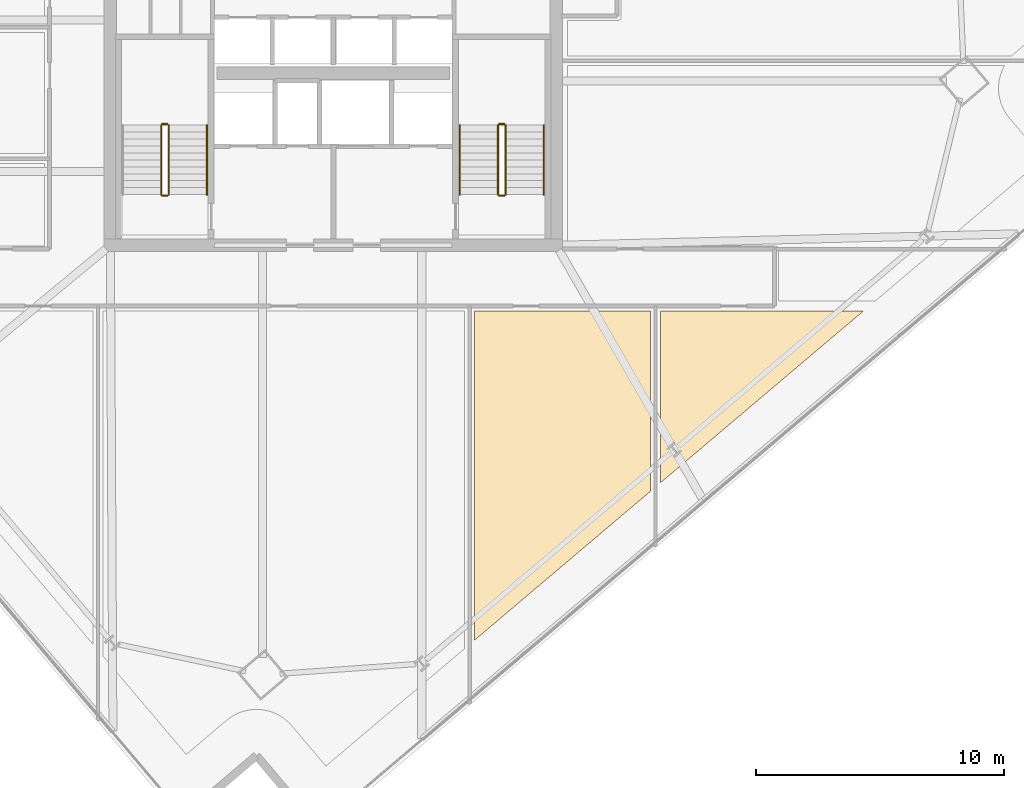
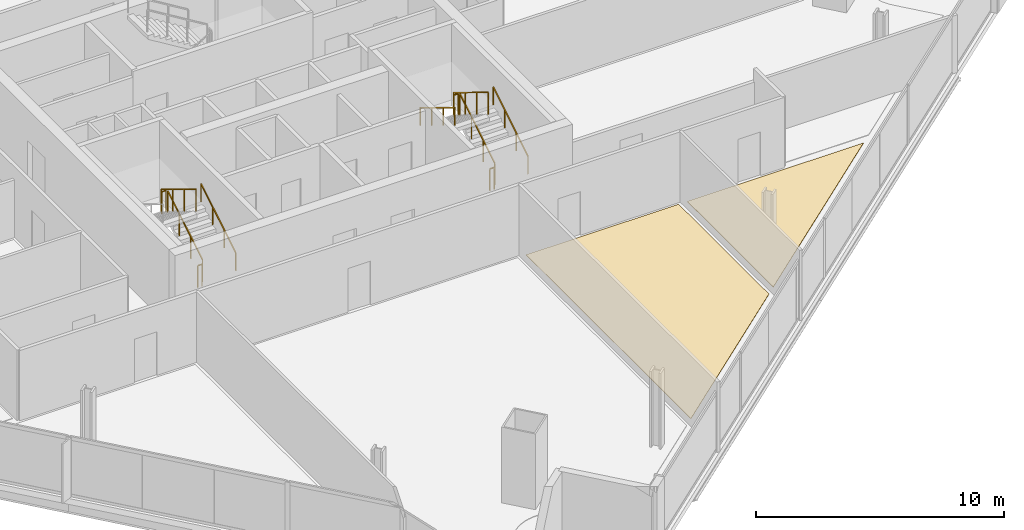
# One storey, part 31 of 34: 11 railings, 2 coverings.
"""IFC4 building model written with IfcOpenShell, lengths in metres."""

from ifc_helpers import new_model, si_unit, direction, frame, origin, origin_2d, place, context, subcontext, project, spatial, polyline, rectangle, outline, extrude, material, layer, layer_set, type_object, element, save


model = new_model("IFC4")

# Units and contexts
model_context = context("Model", 3, precision=1e-05, world=origin(), true_north=direction((0.0, 1.0)))
body_context = subcontext(model_context, "Body", "Model", "MODEL_VIEW")
ifc_project = project(units=[si_unit("LENGTHUNIT", "METRE"), si_unit("AREAUNIT", "SQUARE_METRE"), si_unit("VOLUMEUNIT", "CUBIC_METRE"), si_unit("PLANEANGLEUNIT", "RADIAN"), si_unit("MASSUNIT", "GRAM", prefix="KILO")], contexts=[model_context])

# Site, building, storey
site_placement = place(None, origin())
site = spatial("IfcSite", under=ifc_project, at=site_placement, CompositionType="ELEMENT")
building_placement = place(site_placement, origin())
building = spatial("IfcBuilding", under=site, at=building_placement, Name="Haldenkirk Collegiate Tower", CompositionType="ELEMENT")
storey_placement = place(building_placement, frame((0.0, 0.0, 163.199951171875)))
storey = spatial("IfcBuildingStorey", under=building, at=storey_placement, Name="L40", CompositionType="ELEMENT", Elevation=163.199951171875)

# Coverings
ifc_material_1 = material(Name="Polished collegiate terrazzo", Category="concrete")
ifc_layer_1 = layer(ifc_material_1, 0.02490234375)
ifc_layer_set_1 = layer_set([ifc_layer_1], Name="Polished collegiate terrazzo")
covering_type_1 = type_object("IfcCoveringType", Name="COV-FLOOR-TERRAZZO", PredefinedType="FLOORING", material=ifc_layer_set_1)
covering_1_placement = place(storey_placement, origin())
element("IfcCovering", 1, at=covering_1_placement, inside=storey, type_object=covering_type_1, Name="L40 academic room finish 04", PredefinedType="FLOORING", context=body_context, shape_type="SweptSolid", body=[
    extrude(outline(polyline([(49.199951171875, 8.40869140625), (49.199951171875, 15.35009765625), (57.399169921875, 15.35009765625), (49.199951171875, 8.40869140625)])), origin(), (0.0, 0.0, 1.0), 0.025146484375),
])
ifc_material_2 = material(Name="Engineered collegiate oak acoustic flooring", Category="wood")
ifc_layer_2 = layer(ifc_material_2, 0.02197265625)
ifc_layer_set_2 = layer_set([ifc_layer_2], Name="Engineered collegiate oak acoustic flooring")
covering_type_2 = type_object("IfcCoveringType", Name="COV-FLOOR-TIMBER", PredefinedType="FLOORING", material=ifc_layer_set_2)
covering_2_placement = place(storey_placement, origin())
element("IfcCovering", 2, at=covering_2_placement, inside=storey, type_object=covering_type_2, Name="L40 academic room finish 03", PredefinedType="FLOORING", context=body_context, shape_type="SweptSolid", body=[
    extrude(outline(polyline([(41.699951171875, 2.0595703125), (41.699951171875, 15.35009765625), (48.800048828125, 15.35009765625), (48.800048828125, 8.0703125), (41.699951171875, 2.0595703125)])), origin(), (0.0, 0.0, 1.0), 0.02197265625),
])

# Railings
ifc_material_3 = material(Name="Painted architectural tubular steel", Category="steel")
railing_type_1 = type_object("IfcRailingType", Name="RLG-STAIR-GUARD-1100", PredefinedType="BALUSTRADE", material=ifc_material_3)
railing_1_placement = place(storey_placement, frame((29.35009765625, 20.050048828125, 0.17041015625)))
element("IfcRailing", 3, at=railing_1_placement, inside=storey, type_object=railing_type_1, Name="L40 ST-1 stair guard 1", PredefinedType="BALUSTRADE", context=body_context, shape_type="SweptSolid", body=[
    extrude(rectangle(XDim=0.048095703125, YDim=0.048095703125, at=origin_2d()), frame((0.0, 0.0, 1.076171875), z_axis=(0.0, 0.854169791009, 0.51999420009), x_axis=(-1.0, 0.0, 0.0)), (0.0, 0.0, 1.0), 3.278076171875),
    extrude(rectangle(XDim=0.0419921875, YDim=0.0419921875, at=origin_2d()), origin(), (0.0, 0.0, 1.0), 1.052001953125),
    extrude(rectangle(XDim=0.0419921875, YDim=0.0419921875, at=origin_2d()), frame((0.0, 0.933349609375, 0.568115234375)), (0.0, 0.0, 1.0), 1.052001953125),
    extrude(rectangle(XDim=0.0419921875, YDim=0.0419921875, at=origin_2d()), frame((0.0, 1.86669921875, 1.136474609375)), (0.0, 0.0, 1.0), 1.052001953125),
    extrude(rectangle(XDim=0.0419921875, YDim=0.0419921875, at=origin_2d()), frame((0.0, 2.800048828125, 1.70458984375)), (0.0, 0.0, 1.0), 1.052001953125),
])
railing_2_placement = place(storey_placement, frame((29.300048828125, 22.89990234375, 1.875)))
element("IfcRailing", 4, at=railing_2_placement, inside=storey, type_object=railing_type_1, Name="L40 ST-1 stair guard 2", PredefinedType="BALUSTRADE", context=body_context, shape_type="SweptSolid", body=[
    extrude(rectangle(XDim=0.048095703125, YDim=0.048095703125, at=origin_2d()), frame((0.0, 0.0, 1.076171875), z_axis=(-1.0, 0.0, 0.0), x_axis=(0.0, -1.0, 0.0)), (0.0, 0.0, 1.0), 0.199951171875),
    extrude(rectangle(XDim=0.0419921875, YDim=0.0419921875, at=origin_2d()), origin(), (0.0, 0.0, 1.0), 1.052001953125),
    extrude(rectangle(XDim=0.0419921875, YDim=0.0419921875, at=origin_2d()), frame((-0.199951171875, 0.0, 0.0)), (0.0, 0.0, 1.0), 1.052001953125),
])
railing_3_placement = place(storey_placement, frame((29.050048828125, 22.85009765625, 2.04541015625)))
element("IfcRailing", 5, at=railing_3_placement, inside=storey, type_object=railing_type_1, Name="L40 ST-1 stair guard 3", PredefinedType="BALUSTRADE", context=body_context, shape_type="SweptSolid", body=[
    extrude(rectangle(XDim=0.048095703125, YDim=0.048095703125, at=origin_2d()), frame((0.0, 0.0, 1.076171875), z_axis=(0.0, -0.854169791009, 0.51999420009), x_axis=(1.0, 0.0, 0.0)), (0.0, 0.0, 1.0), 3.278076171875),
    extrude(rectangle(XDim=0.0419921875, YDim=0.0419921875, at=origin_2d()), origin(), (0.0, 0.0, 1.0), 1.052001953125),
    extrude(rectangle(XDim=0.0419921875, YDim=0.0419921875, at=origin_2d()), frame((0.0, -0.933349609375, 0.568115234375)), (0.0, 0.0, 1.0), 1.052001953125),
    extrude(rectangle(XDim=0.0419921875, YDim=0.0419921875, at=origin_2d()), frame((0.0, -1.86669921875, 1.136474609375)), (0.0, 0.0, 1.0), 1.052001953125),
    extrude(rectangle(XDim=0.0419921875, YDim=0.0419921875, at=origin_2d()), frame((0.0, -2.800048828125, 1.70458984375)), (0.0, 0.0, 1.0), 1.052001953125),
])
railing_4_placement = place(storey_placement, frame((29.300048828125, 20.0, 0.0)))
element("IfcRailing", 6, at=railing_4_placement, inside=storey, type_object=railing_type_1, Name="L40 ST-1 stair guard 4", PredefinedType="BALUSTRADE", context=body_context, shape_type="SweptSolid", body=[
    extrude(rectangle(XDim=0.048095703125, YDim=0.048095703125, at=origin_2d()), frame((0.0, 0.0, 1.076171875), z_axis=(-1.0, 0.0, 0.0), x_axis=(0.0, -1.0, 0.0)), (0.0, 0.0, 1.0), 0.199951171875),
    extrude(rectangle(XDim=0.0419921875, YDim=0.0419921875, at=origin_2d()), origin(), (0.0, 0.0, 1.0), 1.052001953125),
    extrude(rectangle(XDim=0.0419921875, YDim=0.0419921875, at=origin_2d()), frame((-0.199951171875, 0.0, 0.0)), (0.0, 0.0, 1.0), 1.052001953125),
])
railing_5_placement = place(storey_placement, frame((42.949951171875, 20.050048828125, 0.17041015625)))
element("IfcRailing", 7, at=railing_5_placement, inside=storey, type_object=railing_type_1, Name="L40 ST-2 stair guard 1", PredefinedType="BALUSTRADE", context=body_context, shape_type="SweptSolid", body=[
    extrude(rectangle(XDim=0.048095703125, YDim=0.048095703125, at=origin_2d()), frame((0.0, 0.0, 1.076171875), z_axis=(0.0, 0.854169791009, 0.51999420009), x_axis=(-1.0, 0.0, 0.0)), (0.0, 0.0, 1.0), 3.278076171875),
    extrude(rectangle(XDim=0.0419921875, YDim=0.0419921875, at=origin_2d()), origin(), (0.0, 0.0, 1.0), 1.052001953125),
    extrude(rectangle(XDim=0.0419921875, YDim=0.0419921875, at=origin_2d()), frame((0.0, 0.933349609375, 0.568115234375)), (0.0, 0.0, 1.0), 1.052001953125),
    extrude(rectangle(XDim=0.0419921875, YDim=0.0419921875, at=origin_2d()), frame((0.0, 1.86669921875, 1.136474609375)), (0.0, 0.0, 1.0), 1.052001953125),
    extrude(rectangle(XDim=0.0419921875, YDim=0.0419921875, at=origin_2d()), frame((0.0, 2.800048828125, 1.70458984375)), (0.0, 0.0, 1.0), 1.052001953125),
])
railing_6_placement = place(storey_placement, frame((42.89990234375, 22.89990234375, 1.875)))
element("IfcRailing", 8, at=railing_6_placement, inside=storey, type_object=railing_type_1, Name="L40 ST-2 stair guard 2", PredefinedType="BALUSTRADE", context=body_context, shape_type="SweptSolid", body=[
    extrude(rectangle(XDim=0.048095703125, YDim=0.048095703125, at=origin_2d()), frame((0.0, 0.0, 1.076171875), z_axis=(-1.0, 0.0, 0.0), x_axis=(0.0, -1.0, 0.0)), (0.0, 0.0, 1.0), 0.199951171875),
    extrude(rectangle(XDim=0.0419921875, YDim=0.0419921875, at=origin_2d()), origin(), (0.0, 0.0, 1.0), 1.052001953125),
    extrude(rectangle(XDim=0.0419921875, YDim=0.0419921875, at=origin_2d()), frame((-0.199951171875, 0.0, 0.0)), (0.0, 0.0, 1.0), 1.052001953125),
])
railing_7_placement = place(storey_placement, frame((42.64990234375, 22.85009765625, 2.04541015625)))
element("IfcRailing", 9, at=railing_7_placement, inside=storey, type_object=railing_type_1, Name="L40 ST-2 stair guard 3", PredefinedType="BALUSTRADE", context=body_context, shape_type="SweptSolid", body=[
    extrude(rectangle(XDim=0.048095703125, YDim=0.048095703125, at=origin_2d()), frame((0.0, 0.0, 1.076171875), z_axis=(0.0, -0.854169791009, 0.51999420009), x_axis=(1.0, 0.0, 0.0)), (0.0, 0.0, 1.0), 3.278076171875),
    extrude(rectangle(XDim=0.0419921875, YDim=0.0419921875, at=origin_2d()), origin(), (0.0, 0.0, 1.0), 1.052001953125),
    extrude(rectangle(XDim=0.0419921875, YDim=0.0419921875, at=origin_2d()), frame((0.0, -0.933349609375, 0.568115234375)), (0.0, 0.0, 1.0), 1.052001953125),
    extrude(rectangle(XDim=0.0419921875, YDim=0.0419921875, at=origin_2d()), frame((0.0, -1.86669921875, 1.136474609375)), (0.0, 0.0, 1.0), 1.052001953125),
    extrude(rectangle(XDim=0.0419921875, YDim=0.0419921875, at=origin_2d()), frame((0.0, -2.800048828125, 1.70458984375)), (0.0, 0.0, 1.0), 1.052001953125),
])
railing_8_placement = place(storey_placement, frame((42.89990234375, 20.0, 0.0)))
element("IfcRailing", 10, at=railing_8_placement, inside=storey, type_object=railing_type_1, Name="L40 ST-2 stair guard 4", PredefinedType="BALUSTRADE", context=body_context, shape_type="SweptSolid", body=[
    extrude(rectangle(XDim=0.048095703125, YDim=0.048095703125, at=origin_2d()), frame((0.0, 0.0, 1.076171875), z_axis=(-1.0, 0.0, 0.0), x_axis=(0.0, -1.0, 0.0)), (0.0, 0.0, 1.0), 0.199951171875),
    extrude(rectangle(XDim=0.0419921875, YDim=0.0419921875, at=origin_2d()), origin(), (0.0, 0.0, 1.0), 1.052001953125),
    extrude(rectangle(XDim=0.0419921875, YDim=0.0419921875, at=origin_2d()), frame((-0.199951171875, 0.0, 0.0)), (0.0, 0.0, 1.0), 1.052001953125),
])
railing_type_2 = type_object("IfcRailingType", Name="RLG-STAIR-HANDRAIL-900", PredefinedType="HANDRAIL", material=ifc_material_3)
for number, where, name in (
    (11, (30.89990234375, 20.050048828125, 0.17041015625), "L40 ST-1 stair handrail 1"),
    (12, (44.5, 20.050048828125, 0.17041015625), "L40 ST-2 stair handrail 1"),
):
    element("IfcRailing", number, at=place(storey_placement, frame(where)), inside=storey, type_object=railing_type_2, Name=name, PredefinedType="HANDRAIL", context=body_context, shape_type="SweptSolid", body=[
        extrude(rectangle(XDim=0.048095703125, YDim=0.048095703125, at=origin_2d()), frame((0.0, 0.0, 0.8759765625), z_axis=(0.0, 0.854169791009, 0.51999420009), x_axis=(-1.0, 0.0, 0.0)), (0.0, 0.0, 1.0), 3.278076171875),
        extrude(rectangle(XDim=0.0419921875, YDim=0.0419921875, at=origin_2d()), origin(), (0.0, 0.0, 1.0), 0.851806640625),
        extrude(rectangle(XDim=0.0419921875, YDim=0.0419921875, at=origin_2d()), frame((0.0, 0.933349609375, 0.568115234375)), (0.0, 0.0, 1.0), 0.851806640625),
        extrude(rectangle(XDim=0.0419921875, YDim=0.0419921875, at=origin_2d()), frame((0.0, 1.86669921875, 1.136474609375)), (0.0, 0.0, 1.0), 0.851806640625),
        extrude(rectangle(XDim=0.0419921875, YDim=0.0419921875, at=origin_2d()), frame((0.0, 2.800048828125, 1.70458984375)), (0.0, 0.0, 1.0), 0.851806640625),
    ])
railing_9_placement = place(storey_placement, frame((41.10009765625, 22.85009765625, 2.04541015625)))
element("IfcRailing", 13, at=railing_9_placement, inside=storey, type_object=railing_type_2, Name="L40 ST-2 stair handrail 2", PredefinedType="HANDRAIL", context=body_context, shape_type="SweptSolid", body=[
    extrude(rectangle(XDim=0.048095703125, YDim=0.048095703125, at=origin_2d()), frame((0.0, 0.0, 0.8759765625), z_axis=(0.0, -0.854169791009, 0.51999420009), x_axis=(1.0, 0.0, 0.0)), (0.0, 0.0, 1.0), 3.278076171875),
    extrude(rectangle(XDim=0.0419921875, YDim=0.0419921875, at=origin_2d()), origin(), (0.0, 0.0, 1.0), 0.851806640625),
    extrude(rectangle(XDim=0.0419921875, YDim=0.0419921875, at=origin_2d()), frame((0.0, -0.933349609375, 0.568115234375)), (0.0, 0.0, 1.0), 0.851806640625),
    extrude(rectangle(XDim=0.0419921875, YDim=0.0419921875, at=origin_2d()), frame((0.0, -1.86669921875, 1.136474609375)), (0.0, 0.0, 1.0), 0.851806640625),
    extrude(rectangle(XDim=0.0419921875, YDim=0.0419921875, at=origin_2d()), frame((0.0, -2.800048828125, 1.70458984375)), (0.0, 0.0, 1.0), 0.851806640625),
])

save(model, "model.ifc")
